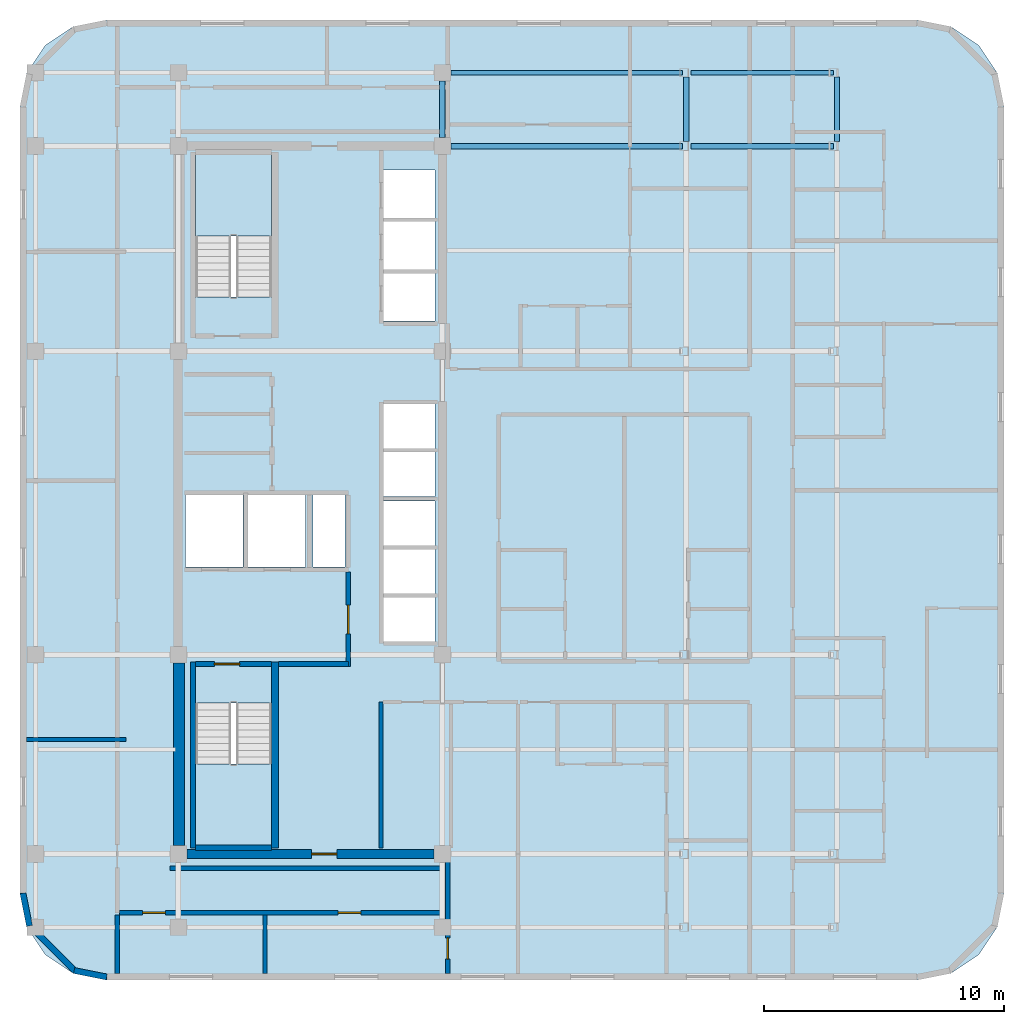
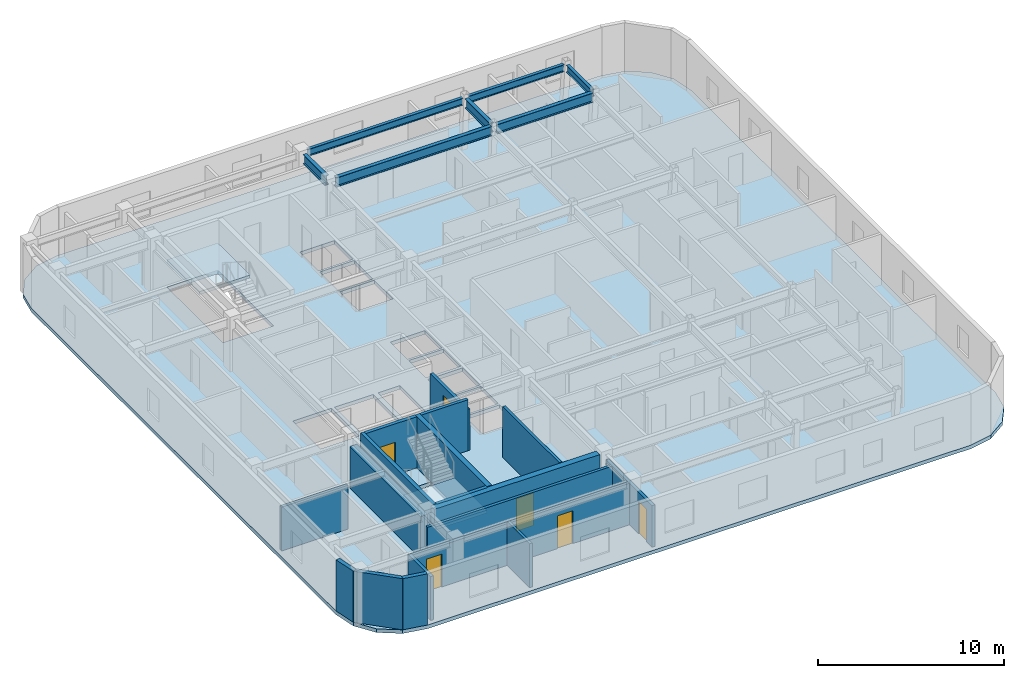
# One storey, part 2 of 8: 18 walls, 7 beams, 6 doors, 3 slabs, 6 openings, 2 elements without a shape of their own.
"""IFC4 building model written with IfcOpenShell, lengths in metres."""

import ifcopenshell
import ifcopenshell.guid

model = None  # the IFC model being written
_history = None  # IfcOwnerHistory: only IFC2X3 demands one
_inside = {}  # id of a spatial element -> (the spatial element, [elements in it])
_under = {}  # id of a project, library or spatial element -> (it, [spatial elements below it])
_declared = {}  # id of a project -> (the project, [libraries it declares])
_typed = {}  # id of a type object -> (the type object, [elements of that type])
_made_of = {}  # id of a material, layer set ... -> (it, [elements and type objects made of it])


def new_model(schema):
    """Start an empty IFC model of exactly this schema.

    Asked for "IFC4X3", IfcOpenShell would pick the latest addendum, in which some entities
    have other attributes; the version numbers below select the first issue.
    IFC2X3 requires an IfcOwnerHistory on every rooted entity: one is made here for all.
    """
    global model, _history
    if schema == "IFC4X3":
        model = ifcopenshell.file(schema_version=(4, 3, 0, 0))
    else:
        model = ifcopenshell.file(schema=schema)
    _inside.clear()
    _under.clear()
    _declared.clear()
    _typed.clear()
    _made_of.clear()
    _history = None
    if model.schema == "IFC2X3":
        org = make("IfcOrganization", Name="unknown")
        user = make(
            "IfcPersonAndOrganization",
            ThePerson=make("IfcPerson", FamilyName="unknown"),
            TheOrganization=org,
        )
        app = make(
            "IfcApplication",
            ApplicationDeveloper=org,
            Version="unknown",
            ApplicationFullName="unknown",
            ApplicationIdentifier="unknown",
        )
        _history = make(
            "IfcOwnerHistory",
            OwningUser=user,
            OwningApplication=app,
            ChangeAction="ADDED",
            CreationDate=0,
        )
    return model


def make(cls, **values):
    """One entity of the class cls with the attributes given. An attribute that is None is left unset."""
    return model.create_entity(
        cls, **{name: value for name, value in values.items() if value is not None}
    )


def rooted(cls, **values):
    """An entity with a GlobalId (a new one), such as an element, a storey or a relation."""
    return make(cls, GlobalId=ifcopenshell.guid.new(), OwnerHistory=_history, **values)


def si_unit(unit_type, name, prefix=None):
    """IfcSIUnit, for example si_unit("LENGTHUNIT", "METRE", prefix="MILLI")."""
    return make("IfcSIUnit", UnitType=unit_type, Prefix=prefix, Name=name)


def assignment(units):
    """IfcUnitAssignment: the units of a project."""
    return None if units is None else make("IfcUnitAssignment", Units=units)


def point(xyz):
    """IfcCartesianPoint."""
    return None if xyz is None else make("IfcCartesianPoint", Coordinates=xyz)


def direction(xyz):
    """IfcDirection."""
    return None if xyz is None else make("IfcDirection", DirectionRatios=xyz)


def frame(location, z_axis=None, x_axis=None):
    """IfcAxis2Placement3D, a coordinate frame: its origin and axes. An axis left out is left unset."""
    return make(
        "IfcAxis2Placement3D",
        Location=point(location),
        Axis=direction(z_axis),
        RefDirection=direction(x_axis),
    )


def frame_2d(location, x_axis=None):
    """IfcAxis2Placement2D, a coordinate frame in the plane: its origin and x axis."""
    return make(
        "IfcAxis2Placement2D", Location=point(location), RefDirection=direction(x_axis)
    )


def origin():
    """The frame at (0, 0, 0) with its axes left unset."""
    return frame((0.0, 0.0, 0.0))


def origin_2d():
    """The frame at (0, 0) in the plane with its x axis left unset."""
    return frame_2d((0.0, 0.0))


def place(relative_to, where):
    """IfcLocalPlacement: puts the frame where relative to a parent placement (None: the world)."""
    return make(
        "IfcLocalPlacement", PlacementRelTo=relative_to, RelativePlacement=where
    )


def context(
    kind, dimensions, precision=None, world=None, true_north=None, identifier=None
):
    """IfcGeometricRepresentationContext, for example the 3D "Model" context."""
    return make(
        "IfcGeometricRepresentationContext",
        ContextIdentifier=identifier,
        ContextType=kind,
        CoordinateSpaceDimension=dimensions,
        Precision=precision,
        WorldCoordinateSystem=world,
        TrueNorth=true_north,
    )


def subcontext(parent, identifier, kind, view, scale=None):
    """IfcGeometricRepresentationSubContext, for example "Body" below "Model"."""
    return make(
        "IfcGeometricRepresentationSubContext",
        ContextIdentifier=identifier,
        ContextType=kind,
        ParentContext=parent,
        TargetScale=scale,
        TargetView=view,
    )


def project(units=None, contexts=None):
    """IfcProject with its units and contexts."""
    return rooted(
        "IfcProject",
        Name="project",
        RepresentationContexts=contexts,
        UnitsInContext=assignment(units),
    )


def spatial(cls, under=None, at=None, **own):
    """A site, building, storey or space (cls), placed at a placement, below another one or the project."""
    s = rooted(cls, ObjectPlacement=at, **own)
    if under is not None:
        _under.setdefault(under.id(), (under, []))[1].append(s)
    return s


def polyline(points):
    """IfcPolyline through the points."""
    return make("IfcPolyline", Points=[point(p) for p in points])


def profile(cls, at=None, kind="AREA", **sizes):
    """A parametric profile (cls). Its sizes go by their IFC names, for example OverallWidth=200.0."""
    return make(cls, ProfileType=kind, Position=at, **sizes)


def rectangle(**sizes):
    """IfcRectangleProfileDef."""
    return profile("IfcRectangleProfileDef", **sizes)


def i_section(**sizes):
    """IfcIShapeProfileDef."""
    return profile("IfcIShapeProfileDef", **sizes)


def outline(outer, holes=None, kind="AREA"):
    """IfcArbitraryClosedProfileDef: a profile drawn as a closed curve; with holes, ...WithVoids."""
    if holes is None:
        return make("IfcArbitraryClosedProfileDef", ProfileType=kind, OuterCurve=outer)
    return make(
        "IfcArbitraryProfileDefWithVoids",
        ProfileType=kind,
        OuterCurve=outer,
        InnerCurves=holes,
    )


def extrude(swept, where, along, depth):
    """IfcExtrudedAreaSolid: the profile swept, set in the frame where, extruded along a direction by depth."""
    return make(
        "IfcExtrudedAreaSolid",
        SweptArea=swept,
        Position=where,
        ExtrudedDirection=direction(along),
        Depth=depth,
    )


def shape(context_of_items, identifier, shape_type, items):
    """IfcShapeRepresentation: the items that make up one representation, for example the "Body"."""
    return make(
        "IfcShapeRepresentation",
        ContextOfItems=context_of_items,
        RepresentationIdentifier=identifier,
        RepresentationType=shape_type,
        Items=items,
    )


def material(Name=None, Category=None):
    """IfcMaterial."""
    return make("IfcMaterial", Name=Name, Category=Category)


def layer(
    of_material, thickness, ventilated=None, Name=None, Category=None, Priority=None
):
    """IfcMaterialLayer: one layer of a wall or slab, of a material (None: an air gap)."""
    return make(
        "IfcMaterialLayer",
        Material=of_material,
        LayerThickness=thickness,
        IsVentilated=ventilated,
        Name=Name,
        Category=Category,
        Priority=Priority,
    )


def layer_set(layers, Name=None):
    """IfcMaterialLayerSet."""
    return make("IfcMaterialLayerSet", MaterialLayers=layers, LayerSetName=Name)


def material_profile(
    of_material, cross_section, Name=None, Category=None, Priority=None
):
    """IfcMaterialProfile: a cross section and its material."""
    return make(
        "IfcMaterialProfile",
        Name=Name,
        Material=of_material,
        Profile=cross_section,
        Priority=Priority,
        Category=Category,
    )


def profile_set(profiles, Name=None, composite=None):
    """IfcMaterialProfileSet."""
    return make(
        "IfcMaterialProfileSet",
        Name=Name,
        MaterialProfiles=profiles,
        CompositeProfile=composite,
    )


def made_of(thing, what):
    """Note that an element or type object is made of a material, layer set ...; save() writes the relation."""
    if what is not None:
        _made_of.setdefault(what.id(), (what, []))[1].append(thing)
    return thing


def type_object(cls, material=None, **own):
    """A type object (cls), such as IfcWallType, which elements share."""
    return made_of(rooted(cls, **own), material)


def element(
    cls,
    number,
    at=None,
    inside=None,
    cuts=None,
    type_object=None,
    material=None,
    context=None,
    identifier="Body",
    shape_type=None,
    held_by="IfcProductDefinitionShape",
    body=None,
    shapes=None,
    **own,
):
    """One element of the class cls, such as IfcWall. Its Tag is "e" and its number.

    at: its placement. inside: the storey or other place that contains it. cuts: it is an
    opening in that element (IfcRelVoidsElement). A single representation is given by context,
    identifier, shape_type and body (its items); several are given by shapes. held_by: the class
    of the entity that holds the representations. save() writes the other relations.
    """
    e = rooted(cls, Tag="e%d" % number, ObjectPlacement=at, **own)
    if body is not None:
        shapes = [shape(context, identifier, shape_type, body)]
    if shapes is not None:
        e.Representation = make(held_by, Representations=shapes)
    if inside is not None:
        _inside.setdefault(inside.id(), (inside, []))[1].append(e)
    if cuts is not None:
        rooted(
            "IfcRelVoidsElement", RelatingBuildingElement=cuts, RelatedOpeningElement=e
        )
    if type_object is not None:
        _typed.setdefault(type_object.id(), (type_object, []))[1].append(e)
    return made_of(e, material)


def fill(opening, filler):
    """IfcRelFillsElement: the door or window that sits in an opening."""
    return rooted(
        "IfcRelFillsElement",
        RelatingOpeningElement=opening,
        RelatedBuildingElement=filler,
    )


def aggregate(whole, parts):
    """IfcRelAggregates: a whole, such as a stair, and the parts it consists of."""
    return rooted("IfcRelAggregates", RelatingObject=whole, RelatedObjects=parts)


def save(model, path):
    """Write the relations noted so far, then the file.

    IfcRelAggregates (storeys below a building ...), IfcRelContainedInSpatialStructure (elements
    in a storey), IfcRelDefinesByType, IfcRelAssociatesMaterial and IfcRelDeclares: one each for
    every whole, place, type object, material and project.
    """
    for whole, parts in _under.values():
        aggregate(whole, parts)
    for where, things in _inside.values():
        rooted(
            "IfcRelContainedInSpatialStructure",
            RelatedElements=things,
            RelatingStructure=where,
        )
    for kind, things in _typed.values():
        rooted("IfcRelDefinesByType", RelatedObjects=things, RelatingType=kind)
    for what, things in _made_of.values():
        rooted("IfcRelAssociatesMaterial", RelatedObjects=things, RelatingMaterial=what)
    for by, libraries in _declared.values():
        rooted("IfcRelDeclares", RelatingContext=by, RelatedDefinitions=libraries)
    model.write(path)


model = new_model("IFC4")

# Units and contexts
model_context = context("Model", 3, precision=1e-05, world=origin(), true_north=direction((0.0, 1.0)))
body_context = subcontext(model_context, "Body", "Model", "MODEL_VIEW")
ifc_project = project(units=[si_unit("LENGTHUNIT", "METRE"), si_unit("AREAUNIT", "SQUARE_METRE"), si_unit("VOLUMEUNIT", "CUBIC_METRE"), si_unit("PLANEANGLEUNIT", "RADIAN"), si_unit("MASSUNIT", "GRAM", prefix="KILO")], contexts=[model_context])

# Site, building, storey
site_placement = place(None, origin())
site = spatial("IfcSite", under=ifc_project, at=site_placement, CompositionType="ELEMENT")
building_placement = place(site_placement, origin())
building = spatial("IfcBuilding", under=site, at=building_placement, Name="Ochreholt Gables", CompositionType="ELEMENT")
storey_placement = place(building_placement, frame((0.0, 0.0, 151.800048828125)))
storey = spatial("IfcBuildingStorey", under=building, at=storey_placement, Name="L39", CompositionType="ELEMENT", Elevation=151.800048828125)

# Beams
ifc_material_1 = material(Name="Steel CSA G40.21 350W", Category="steel")
ifc_material_profile_1 = material_profile(ifc_material_1, i_section(OverallWidth=0.22900390625, OverallDepth=0.612060546875, WebThickness=0.011962890625, FlangeThickness=0.01953125, at=origin_2d()), Name="W610X125")
ifc_profile_set_1 = profile_set([ifc_material_profile_1], Name="Steel CSA G40.21 350W")
beam_type_1 = type_object("IfcBeamType", Name="BM-G-W610B", PredefinedType="BEAM", material=ifc_profile_set_1)
beam_1_placement = place(storey_placement, frame((35.549560546875, 38.75, 3.053955078125), z_axis=(1.0, 0.0, 0.0), x_axis=(0.0, 1.0, 0.0)))
element("IfcBeam", 1, at=beam_1_placement, inside=storey, type_object=beam_type_1, Name="L39 Beam TBG-L39-C2EM-Y5", PredefinedType="BEAM", context=body_context, shape_type="SweptSolid", body=[
    extrude(i_section(OverallWidth=0.22900390625, OverallDepth=0.612060546875, WebThickness=0.011962890625, FlangeThickness=0.01953125, at=origin_2d()), origin(), (0.0, 0.0, 1.0), 9.64794921875),
])
beam_2_placement = place(storey_placement, frame((45.552490234375, 38.75, 3.053955078125), z_axis=(1.0, 0.0, 0.0), x_axis=(0.0, 1.0, 0.0)))
element("IfcBeam", 2, at=beam_2_placement, inside=storey, type_object=beam_type_1, Name="L39 Beam TBG-L39-EMEE-Y5", PredefinedType="BEAM", context=body_context, shape_type="SweptSolid", body=[
    extrude(i_section(OverallWidth=0.22900390625, OverallDepth=0.612060546875, WebThickness=0.011962890625, FlangeThickness=0.01953125, at=origin_2d()), origin(), (0.0, 0.0, 1.0), 5.93994140625),
])
beam_3_placement = place(storey_placement, frame((35.199951171875, 39.099609375, 3.053955078125), z_axis=(0.0, 1.0, 0.0), x_axis=(-1.0, 0.0, 0.0)))
element("IfcBeam", 3, at=beam_3_placement, inside=storey, type_object=beam_type_1, Name="L39 Beam TBN-L39-C2-Y5Y6", PredefinedType="BEAM", context=body_context, shape_type="SweptSolid", body=[
    extrude(i_section(OverallWidth=0.22900390625, OverallDepth=0.612060546875, WebThickness=0.011962890625, FlangeThickness=0.01953125, at=origin_2d()), origin(), (0.0, 0.0, 1.0), 2.350830078125),
])
beam_4_placement = place(storey_placement, frame((45.35791015625, 38.927490234375, 3.053955078125), z_axis=(0.0, 1.0, 0.0), x_axis=(-1.0, 0.0, 0.0)))
element("IfcBeam", 4, at=beam_4_placement, inside=storey, type_object=beam_type_1, Name="L39 Beam TBN-L39-EM-Y5Y6", PredefinedType="BEAM", context=body_context, shape_type="SweptSolid", body=[
    extrude(i_section(OverallWidth=0.22900390625, OverallDepth=0.612060546875, WebThickness=0.011962890625, FlangeThickness=0.01953125, at=origin_2d()), origin(), (0.0, 0.0, 1.0), 2.69482421875),
])
ifc_material_profile_2 = material_profile(ifc_material_1, i_section(OverallWidth=0.19189453125, OverallDepth=0.462890625, WebThickness=0.010498046875, FlangeThickness=0.017578125, at=origin_2d()), Name="W460X89")
ifc_profile_set_2 = profile_set([ifc_material_profile_2], Name="Steel CSA G40.21 350W")
beam_type_2 = type_object("IfcBeamType", Name="BM-SP-W460A", PredefinedType="SPANDREL", material=ifc_profile_set_2)
beam_5_placement = place(storey_placement, frame((35.549560546875, 41.800048828125, 3.12841796875), z_axis=(1.0, 0.0, 0.0), x_axis=(0.0, 1.0, 0.0)))
element("IfcBeam", 5, at=beam_5_placement, inside=storey, type_object=beam_type_2, Name="L39 Beam TBG-L39-C2EM-Y6", PredefinedType="SPANDREL", context=body_context, shape_type="SweptSolid", body=[
    extrude(i_section(OverallWidth=0.19189453125, OverallDepth=0.462890625, WebThickness=0.010498046875, FlangeThickness=0.017578125, at=origin_2d()), origin(), (0.0, 0.0, 1.0), 9.64794921875),
])
beam_6_placement = place(storey_placement, frame((45.552490234375, 41.800048828125, 3.12841796875), z_axis=(1.0, 0.0, 0.0), x_axis=(0.0, 1.0, 0.0)))
element("IfcBeam", 6, at=beam_6_placement, inside=storey, type_object=beam_type_2, Name="L39 Beam TBG-L39-EMEE-Y6", PredefinedType="SPANDREL", context=body_context, shape_type="SweptSolid", body=[
    extrude(i_section(OverallWidth=0.19189453125, OverallDepth=0.462890625, WebThickness=0.010498046875, FlangeThickness=0.017578125, at=origin_2d()), origin(), (0.0, 0.0, 1.0), 5.93994140625),
])
beam_7_placement = place(storey_placement, frame((51.6416015625, 38.927490234375, 3.12841796875), z_axis=(0.0, 1.0, 0.0), x_axis=(-1.0, 0.0, 0.0)))
element("IfcBeam", 7, at=beam_7_placement, inside=storey, type_object=beam_type_2, Name="L39 Beam TBN-L39-EE-Y5Y6", PredefinedType="SPANDREL", context=body_context, shape_type="SweptSolid", body=[
    extrude(i_section(OverallWidth=0.19189453125, OverallDepth=0.462890625, WebThickness=0.010498046875, FlangeThickness=0.017578125, at=origin_2d()), origin(), (0.0, 0.0, 1.0), 2.69482421875),
])

# Stair, slab
ifc_material_2 = material(Name="Concrete 40 MPa", Category="concrete")
stair_type_1 = type_object("IfcStairType", Name="STAIR-CORE-ST-1", PredefinedType="HALF_TURN_STAIR", material=ifc_material_2)
stair_1_placement = place(storey_placement, origin())
stair_1 = element("IfcStair", 8, at=stair_1_placement, inside=storey, type_object=stair_type_1, Name="L39 Core Exit Stair 1", PredefinedType="HALF_TURN_STAIR")
ifc_layer_1 = layer(ifc_material_2, 0.199951171875, Name="Concrete 40 MPa")
ifc_layer_set_1 = layer_set([ifc_layer_1], Name="Concrete 40 MPa")
slab_type_1 = type_object("IfcSlabType", Name="LANDING-RC200", PredefinedType="LANDING", material=ifc_layer_set_1)
slab_1_placement = place(storey_placement, frame((0.0, 0.0, 1.599853515625)))
slab_1 = element("IfcSlab", 9, at=slab_1_placement, type_object=slab_type_1, Name="ST-1 landing 1", PredefinedType="LANDING", context=body_context, shape_type="SweptSolid", body=[
    extrude(outline(polyline([(24.919921875, 13.001953125), (24.919921875, 9.52001953125), (28.080078125, 9.52001953125), (28.080078125, 13.001953125), (24.919921875, 13.001953125)])), origin(), (0.0, 0.0, 1.0), 0.2001953125),
])
aggregate(stair_1, [slab_1])

stair_type_2 = type_object("IfcStairType", Name="STAIR-CORE-ST-2", PredefinedType="HALF_TURN_STAIR", material=ifc_material_2)
stair_2_placement = place(storey_placement, origin())
stair_2 = element("IfcStair", 10, at=stair_2_placement, inside=storey, type_object=stair_type_2, Name="L39 Core Exit Stair 2", PredefinedType="HALF_TURN_STAIR")
slab_2_placement = place(storey_placement, frame((0.0, 0.0, 1.599853515625)))
slab_2 = element("IfcSlab", 11, at=slab_2_placement, type_object=slab_type_1, Name="ST-2 landing 1", PredefinedType="LANDING", context=body_context, shape_type="SweptSolid", body=[
    extrude(outline(polyline([(28.080078125, 34.998046875), (28.080078125, 38.47998046875), (24.919921875, 38.47998046875), (24.919921875, 34.998046875), (28.080078125, 34.998046875)])), origin(), (0.0, 0.0, 1.0), 0.2001953125),
])
aggregate(stair_2, [slab_2])

# Slab
ifc_layer_2 = layer(ifc_material_2, 0.239990234375, Name="Concrete 40 MPa")
ifc_layer_set_2 = layer_set([ifc_layer_2], Name="Concrete 40 MPa")
slab_type_2 = type_object("IfcSlabType", Name="SLAB-TWR-240", PredefinedType="FLOOR", material=ifc_layer_set_2)
slab_3_placement = place(storey_placement, frame((0.0, 0.0, -0.239990234375)))
element("IfcSlab", 12, at=slab_3_placement, inside=storey, type_object=slab_type_2, Name="L39 Structural Floor Slab", PredefinedType="FLOOR", context=body_context, shape_type="SweptSolid", body=[
    extrude(outline(polyline([(17.60009765625, 7.60009765625), (17.8740234375, 6.222412109375), (18.654296875, 5.054443359375), (19.822265625, 4.27392578125), (21.199951171875, 4.0), (55.0, 4.0), (56.377685546875, 4.27392578125), (57.545654296875, 5.054443359375), (58.325927734375, 6.222412109375), (58.60009765625, 7.60009765625), (58.60009765625, 40.39990234375), (58.325927734375, 41.777587890625), (57.545654296875, 42.945556640625), (56.377685546875, 43.72607421875), (55.0, 44.0), (21.199951171875, 44.0), (19.822265625, 43.72607421875), (18.654296875, 42.945556640625), (17.8740234375, 41.777587890625), (17.60009765625, 40.39990234375), (17.60009765625, 7.60009765625)]), holes=[polyline([(24.919921875, 15.539306640625), (24.919921875, 9.52001953125), (28.080078125, 9.52001953125), (28.080078125, 15.539306640625), (24.919921875, 15.539306640625)]), polyline([(28.080078125, 32.460693359375), (28.080078125, 38.47998046875), (24.919921875, 38.47998046875), (24.919921875, 32.460693359375), (28.080078125, 32.460693359375)]), polyline([(24.5, 21.199951171875), (26.89990234375, 21.199951171875), (26.89990234375, 24.199951171875), (24.5, 24.199951171875), (24.5, 21.199951171875)]), polyline([(27.10009765625, 21.199951171875), (29.5, 21.199951171875), (29.5, 24.199951171875), (27.10009765625, 24.199951171875), (27.10009765625, 21.199951171875)]), polyline([(32.75, 18.10009765625), (34.89990234375, 18.10009765625), (34.89990234375, 19.949951171875), (32.75, 19.949951171875), (32.75, 18.10009765625)]), polyline([(32.75, 20.10009765625), (34.89990234375, 20.10009765625), (34.89990234375, 21.949951171875), (32.75, 21.949951171875), (32.75, 20.10009765625)]), polyline([(32.75, 22.10009765625), (34.89990234375, 22.10009765625), (34.89990234375, 23.949951171875), (32.75, 23.949951171875), (32.75, 22.10009765625)]), polyline([(32.75, 24.14990234375), (34.89990234375, 24.14990234375), (34.89990234375, 26.0), (32.75, 26.0), (32.75, 24.14990234375)]), polyline([(32.75, 26.14990234375), (34.89990234375, 26.14990234375), (34.89990234375, 28.0), (32.75, 28.0), (32.75, 26.14990234375)]), polyline([(32.75, 31.449951171875), (34.89990234375, 31.449951171875), (34.89990234375, 33.449951171875), (32.75, 33.449951171875), (32.75, 31.449951171875)]), polyline([(32.75, 33.60009765625), (34.89990234375, 33.60009765625), (34.89990234375, 35.60009765625), (32.75, 35.60009765625), (32.75, 33.60009765625)]), polyline([(32.75, 35.75), (34.89990234375, 35.75), (34.89990234375, 37.75), (32.75, 37.75), (32.75, 35.75)]), polyline([(29.800048828125, 21.199951171875), (31.14990234375, 21.199951171875), (31.14990234375, 24.199951171875), (29.800048828125, 24.199951171875), (29.800048828125, 21.199951171875)])]), origin(), (0.0, 0.0, 1.0), 0.239990234375),
])

# Wall, opening, door
ifc_material_3 = material(Name="Concrete 50 MPa", Category="concrete")
ifc_layer_3 = layer(ifc_material_3, 0.3798828125, Name="Concrete 50 MPa")
ifc_layer_set_3 = layer_set([ifc_layer_3], Name="Concrete 50 MPa")
wall_type_1 = type_object("IfcWallType", Name="WALL-CSW-380", PredefinedType="SHEAR", material=ifc_layer_set_3)
wall_1_placement = place(storey_placement, frame((24.550048828125, 9.25, 0.0), z_axis=(0.0, 0.0, 1.0), x_axis=(1.0, 0.0, 0.0)))
wall_1 = element("IfcWall", 13, at=wall_1_placement, inside=storey, type_object=wall_type_1, Name="L39 Core South Shear Wall", PredefinedType="SHEAR", context=body_context, shape_type="SweptSolid", body=[
    extrude(rectangle(XDim=10.300048828125, YDim=0.3798828125, at=frame_2d((5.14990234375, 0.0))), origin(), (0.0, 0.0, 1.0), 3.35986328125),
])
opening_1_placement = place(wall_1_placement, frame((5.199951171875, 0.0, 0.0)))
opening_1 = element("IfcOpeningElement", 14, at=opening_1_placement, cuts=wall_1, Name="Opening D-FLB", PredefinedType="OPENING", context=body_context, shape_type="SweptSolid", body=[
    extrude(rectangle(XDim=1.050048828125, YDim=2.14990234375, at=frame_2d((0.52490234375, 1.074951171875))), frame((0.0, 0.199951171875, 0.0), z_axis=(0.0, -1.0, 0.0), x_axis=(1.0, 0.0, 0.0)), (0.0, 0.0, 1.0), 0.39990234375),
])
ifc_material_4 = material(Name="Hollow Metal Steel", Category="steel")
door_type_1 = type_object("IfcDoorType", Name="DR-INT-FLB1050", OperationType="NOTDEFINED", PredefinedType="DOOR", material=ifc_material_4)
door_1_placement = place(opening_1_placement, origin())
door_1 = element("IfcDoor", 15, at=door_1_placement, inside=storey, type_object=door_type_1, Name="L39 Door D-C2CRS-L39", OperationType="SINGLE_SWING_LEFT", OverallHeight=2.14990234375, OverallWidth=1.050048828125, PredefinedType="DOOR", context=body_context, shape_type="SweptSolid", body=[
    extrude(rectangle(XDim=1.050048828125, YDim=2.14990234375, at=frame_2d((0.52490234375, 1.074951171875))), frame((0.0, 0.02490234375, 0.0), z_axis=(0.0, -1.0, 0.0), x_axis=(1.0, 0.0, 0.0)), (0.0, 0.0, 1.0), 0.050048828125),
])
fill(opening_1, door_1)

# Walls
ifc_material_5 = material(Name="Concrete 60 MPa", Category="concrete")
ifc_layer_4 = layer(ifc_material_5, 0.449951171875, Name="Concrete 60 MPa")
ifc_layer_set_4 = layer_set([ifc_layer_4], Name="Concrete 60 MPa")
wall_type_2 = type_object("IfcWallType", Name="WALL-CSW-450", PredefinedType="SHEAR", material=ifc_layer_set_4)
wall_2_placement = place(storey_placement, frame((24.22509765625, 9.60009765625, 0.0), z_axis=(0.0, 0.0, 1.0), x_axis=(0.0, 1.0, 0.0)))
element("IfcWall", 16, at=wall_2_placement, inside=storey, type_object=wall_type_2, Name="L39 Core West Shear Wall WS", PredefinedType="SHEAR", context=body_context, shape_type="SweptSolid", body=[
    extrude(rectangle(XDim=7.599853515625, YDim=0.449951171875, at=frame_2d((3.7998046875, 0.0))), origin(), (0.0, 0.0, 1.0), 2.748046875),
])
ifc_material_6 = material(Name="Precast concrete 40 MPa", Category="concrete")
ifc_layer_5 = layer(ifc_material_6, 0.25, Name="Precast concrete 40 MPa")
ifc_layer_set_5 = layer_set([ifc_layer_5], Name="Precast concrete 40 MPa")
wall_type_3 = type_object("IfcWallType", Name="WALL-EXT-CNR", PredefinedType="SOLIDWALL", material=ifc_layer_set_5)
wall_3_placement = place(storey_placement, frame((17.72412109375, 7.616455078125, 0.0), z_axis=(0.0, 0.0, 1.0), x_axis=(0.195135625965, -0.9807762678, 0.0)))
element("IfcWall", 17, at=wall_3_placement, inside=storey, type_object=wall_type_3, Name="L39 Rounded Corner Wall SW-1", PredefinedType="SOLIDWALL", context=body_context, shape_type="SweptSolid", body=[
    extrude(rectangle(XDim=1.388671875, YDim=0.25, at=frame_2d((0.6943359375, 0.0))), origin(), (0.0, 0.0, 1.0), 3.35986328125),
])
wall_4_placement = place(storey_placement, frame((17.968017578125, 6.304931640625, 0.0), z_axis=(0.0, 0.0, 1.0), x_axis=(0.707106781187, -0.707106781187, 0.0)))
element("IfcWall", 18, at=wall_4_placement, inside=storey, type_object=wall_type_3, Name="L39 Rounded Corner Wall SW-2", PredefinedType="SOLIDWALL", context=body_context, shape_type="SweptSolid", body=[
    extrude(rectangle(XDim=2.7392578125, YDim=0.25, at=frame_2d((1.36962890625, 0.0))), origin(), (0.0, 0.0, 1.0), 3.35986328125),
])
wall_5_placement = place(storey_placement, frame((19.8544921875, 4.39501953125, 0.0), z_axis=(0.0, 0.0, 1.0), x_axis=(0.980809899341, -0.19496651342, 0.0)))
element("IfcWall", 19, at=wall_5_placement, inside=storey, type_object=wall_type_3, Name="L39 Rounded Corner Wall SW-3", PredefinedType="SOLIDWALL", context=body_context, shape_type="SweptSolid", body=[
    extrude(rectangle(XDim=1.388671875, YDim=0.25, at=frame_2d((0.6943359375, 0.0))), origin(), (0.0, 0.0, 1.0), 3.35986328125),
])
ifc_layer_6 = layer(ifc_material_2, 0.199951171875, Name="Concrete 40 MPa")
ifc_layer_set_6 = layer_set([ifc_layer_6], Name="Concrete 40 MPa")
wall_type_4 = type_object("IfcWallType", Name="WALL-INT-CF200", PredefinedType="STANDARD", material=ifc_layer_set_6)
wall_6_placement = place(storey_placement, frame((28.3798828125, 17.169921875, 0.0), z_axis=(0.0, 0.0, 1.0), x_axis=(1.0, 0.0, 0.0)))
element("IfcWall", 20, at=wall_6_placement, inside=storey, type_object=wall_type_4, Name="L39 Interior Wall WI-FFS-L39", PredefinedType="STANDARD", context=body_context, shape_type="SweptSolid", body=[
    extrude(rectangle(XDim=2.900146484375, YDim=0.199951171875, at=frame_2d((1.4501953125, 0.0))), origin(), (0.0, 0.0, 1.0), 3.35986328125),
])

# Wall, opening, door
wall_7_placement = place(storey_placement, frame((31.280029296875, 17.070068359375, 0.0), z_axis=(0.0, 0.0, 1.0), x_axis=(0.0, 1.0, 0.0)))
wall_7 = element("IfcWall", 21, at=wall_7_placement, inside=storey, type_object=wall_type_4, Name="L39 Interior Wall WI-FFE-L39", PredefinedType="STANDARD", context=body_context, shape_type="SweptSolid", body=[
    extrude(rectangle(XDim=3.919921875, YDim=0.199951171875, at=frame_2d((1.9599609375, 0.0))), origin(), (0.0, 0.0, 1.0), 2.72998046875),
])
opening_2_placement = place(wall_7_placement, frame((1.35009765625, 0.0, 0.0)))
opening_2 = element("IfcOpeningElement", 22, at=opening_2_placement, cuts=wall_7, Name="Opening D-FFL", PredefinedType="OPENING", context=body_context, shape_type="SweptSolid", body=[
    extrude(rectangle(XDim=1.199951171875, YDim=2.14990234375, at=frame_2d((0.60009765625, 1.074951171875))), frame((0.0, 0.10986328125, 0.0), z_axis=(0.0, -1.0, 0.0), x_axis=(1.0, 0.0, 0.0)), (0.0, 0.0, 1.0), 0.219970703125),
])
door_type_2 = type_object("IfcDoorType", Name="DR-INT-FFL1200", OperationType="NOTDEFINED", PredefinedType="DOOR", material=ifc_material_4)
door_2_placement = place(opening_2_placement, origin())
door_2 = element("IfcDoor", 23, at=door_2_placement, inside=storey, type_object=door_type_2, Name="L39 Door D-FFL-L39", OperationType="SINGLE_SWING_LEFT", OverallHeight=2.14990234375, OverallWidth=1.199951171875, PredefinedType="DOOR", context=body_context, shape_type="SweptSolid", body=[
    extrude(rectangle(XDim=1.199951171875, YDim=2.14990234375, at=frame_2d((0.60009765625, 1.074951171875))), frame((0.0, 0.02490234375, 0.0), z_axis=(0.0, -1.0, 0.0), x_axis=(1.0, 0.0, 0.0)), (0.0, 0.0, 1.0), 0.050048828125),
])
fill(opening_2, door_2)

# Wall, openings, doors
ifc_material_7 = material(Name="Fire-Rated Gypsum Acoustic Partition", Category="gypsum")
ifc_layer_7 = layer(ifc_material_7, 0.179931640625, Name="Fire-Rated Gypsum Acoustic Partition")
ifc_layer_set_7 = layer_set([ifc_layer_7], Name="Fire-Rated Gypsum Acoustic Partition")
wall_type_5 = type_object("IfcWallType", Name="WALL-INT-CR180", PredefinedType="STANDARD", material=ifc_layer_set_7)
wall_8_placement = place(storey_placement, frame((21.739990234375, 6.800048828125, 0.0), z_axis=(0.0, 0.0, 1.0), x_axis=(1.0, 0.0, 0.0)))
wall_8 = element("IfcWall", 24, at=wall_8_placement, inside=storey, type_object=wall_type_5, Name="L39 Interior Wall WI-C2WCS-L39", PredefinedType="STANDARD", context=body_context, shape_type="SweptSolid", body=[
    extrude(rectangle(XDim=13.679931640625, YDim=0.179931640625, at=frame_2d((6.83984375, 0.0))), origin(), (0.0, 0.0, 1.0), 2.72998046875),
])
opening_3_placement = place(wall_8_placement, frame((0.969970703125, 0.0, 0.0)))
opening_3 = element("IfcOpeningElement", 25, at=opening_3_placement, cuts=wall_8, Name="Opening D-GN1", PredefinedType="OPENING", context=body_context, shape_type="SweptSolid", body=[
    extrude(rectangle(XDim=0.949951171875, YDim=2.14990234375, at=frame_2d((0.47509765625, 1.074951171875))), frame((0.0, 0.099853515625, 0.0), z_axis=(0.0, -1.0, 0.0), x_axis=(1.0, 0.0, 0.0)), (0.0, 0.0, 1.0), 0.199951171875),
])
opening_4_placement = place(wall_8_placement, frame((9.110107421875, 0.0, 0.0)))
opening_4 = element("IfcOpeningElement", 26, at=opening_4_placement, cuts=wall_8, Name="Opening D-GN1", PredefinedType="OPENING", context=body_context, shape_type="SweptSolid", body=[
    extrude(rectangle(XDim=0.949951171875, YDim=2.14990234375, at=frame_2d((0.47509765625, 1.074951171875))), frame((0.0, 0.099853515625, 0.0), z_axis=(0.0, -1.0, 0.0), x_axis=(1.0, 0.0, 0.0)), (0.0, 0.0, 1.0), 0.199951171875),
])
ifc_material_8 = material(Name="Engineered Oak Timber", Category="wood")
door_type_3 = type_object("IfcDoorType", Name="DR-INT-GEN950", OperationType="NOTDEFINED", PredefinedType="DOOR", material=ifc_material_8)
door_3_placement = place(opening_3_placement, origin())
door_3 = element("IfcDoor", 27, at=door_3_placement, inside=storey, type_object=door_type_3, Name="L39 Door D-C2STL1-L39", OperationType="SINGLE_SWING_LEFT", OverallHeight=2.14990234375, OverallWidth=0.949951171875, PredefinedType="DOOR", context=body_context, shape_type="SweptSolid", body=[
    extrude(rectangle(XDim=0.949951171875, YDim=2.14990234375, at=frame_2d((0.47509765625, 1.074951171875))), frame((0.0, 0.02490234375, 0.0), z_axis=(0.0, -1.0, 0.0), x_axis=(1.0, 0.0, 0.0)), (0.0, 0.0, 1.0), 0.050048828125),
])
fill(opening_3, door_3)
door_4_placement = place(opening_4_placement, origin())
door_4 = element("IfcDoor", 28, at=door_4_placement, inside=storey, type_object=door_type_3, Name="L39 Door D-C2STL2-L39", OperationType="SINGLE_SWING_RIGHT", OverallHeight=2.14990234375, OverallWidth=0.949951171875, PredefinedType="DOOR", context=body_context, shape_type="SweptSolid", body=[
    extrude(rectangle(XDim=0.949951171875, YDim=2.14990234375, at=frame_2d((0.47509765625, 1.074951171875))), frame((0.0, 0.02490234375, 0.0), z_axis=(0.0, -1.0, 0.0), x_axis=(1.0, 0.0, 0.0)), (0.0, 0.0, 1.0), 0.050048828125),
])
fill(opening_4, door_4)

# Walls
wall_9_placement = place(storey_placement, frame((23.85009765625, 8.64990234375, 0.0), z_axis=(0.0, 0.0, 1.0), x_axis=(1.0, 0.0, 0.0)))
element("IfcWall", 29, at=wall_9_placement, inside=storey, type_object=wall_type_5, Name="L39 Interior Wall WI-C2WCS2-L39", PredefinedType="STANDARD", context=body_context, shape_type="SweptSolid", body=[
    extrude(rectangle(XDim=11.56982421875, YDim=0.179931640625, at=frame_2d((5.784912109375, 0.0))), origin(), (0.0, 0.0, 1.0), 2.72998046875),
])
ifc_material_9 = material(Name="Double-Stud Acoustic Demising Wall", Category="gypsum")
ifc_layer_8 = layer(ifc_material_9, 0.179931640625, Name="Double-Stud Acoustic Demising Wall")
ifc_layer_set_8 = layer_set([ifc_layer_8], Name="Double-Stud Acoustic Demising Wall")
wall_type_6 = type_object("IfcWallType", Name="WALL-INT-DM180", PredefinedType="PARTITIONING", material=ifc_layer_set_8)
wall_10_placement = place(storey_placement, frame((21.64990234375, 4.280029296875, 0.0), z_axis=(0.0, 0.0, 1.0), x_axis=(0.0, 1.0, 0.0)))
element("IfcWall", 30, at=wall_10_placement, inside=storey, type_object=wall_type_6, Name="L39 Interior Wall WI-C2WWS-L39", PredefinedType="PARTITIONING", context=body_context, shape_type="SweptSolid", body=[
    extrude(rectangle(XDim=2.429931640625, YDim=0.179931640625, at=frame_2d((1.21484375, 0.0))), origin(), (0.0, 0.0, 1.0), 2.87890625),
])

# Wall, opening, door
wall_11_placement = place(storey_placement, frame((35.419921875, 4.280029296875, 0.0), z_axis=(0.0, 0.0, 1.0), x_axis=(0.0, 1.0, 0.0)))
wall_11 = element("IfcWall", 31, at=wall_11_placement, inside=storey, type_object=wall_type_6, Name="L39 Interior Wall WI-C2SES-L39", PredefinedType="PARTITIONING", context=body_context, shape_type="SweptSolid", body=[
    extrude(rectangle(XDim=4.969970703125, YDim=0.179931640625, at=frame_2d((2.48486328125, 0.0))), origin(), (0.0, 0.0, 1.0), 2.72998046875),
])
opening_5_placement = place(wall_11_placement, frame((0.590087890625, 0.0, 0.0)))
opening_5 = element("IfcOpeningElement", 32, at=opening_5_placement, cuts=wall_11, Name="Opening D-GN2", PredefinedType="OPENING", context=body_context, shape_type="SweptSolid", body=[
    extrude(rectangle(XDim=0.8798828125, YDim=2.1201171875, at=frame_2d((0.43994140625, 1.06005859375))), frame((0.0, 0.099853515625, 0.0), z_axis=(0.0, -1.0, 0.0), x_axis=(1.0, 0.0, 0.0)), (0.0, 0.0, 1.0), 0.199951171875),
])
door_type_4 = type_object("IfcDoorType", Name="DR-INT-GEN880", OperationType="NOTDEFINED", PredefinedType="DOOR", material=ifc_material_8)
door_5_placement = place(opening_5_placement, origin())
door_5 = element("IfcDoor", 33, at=door_5_placement, inside=storey, type_object=door_type_4, Name="L39 Door D-C2SPS-L39", OperationType="SINGLE_SWING_LEFT", OverallHeight=2.1201171875, OverallWidth=0.8798828125, PredefinedType="DOOR", context=body_context, shape_type="SweptSolid", body=[
    extrude(rectangle(XDim=0.8798828125, YDim=2.1201171875, at=frame_2d((0.43994140625, 1.06005859375))), frame((0.0, 0.02490234375, 0.0), z_axis=(0.0, -1.0, 0.0), x_axis=(1.0, 0.0, 0.0)), (0.0, 0.0, 1.0), 0.050048828125),
])
fill(opening_5, door_5)

# Walls
ifc_material_10 = material(Name="Gypsum Acoustic Stud Partition", Category="gypsum")
ifc_layer_9 = layer(ifc_material_10, 0.1650390625, Name="Gypsum Acoustic Stud Partition")
ifc_layer_set_9 = layer_set([ifc_layer_9], Name="Gypsum Acoustic Stud Partition")
wall_type_7 = type_object("IfcWallType", Name="WALL-INT-PT165", PredefinedType="PARTITIONING", material=ifc_layer_set_9)
wall_12_placement = place(storey_placement, frame((32.64990234375, 9.5, 0.0), z_axis=(0.0, 0.0, 1.0), x_axis=(0.0, 1.0, 0.0)))
element("IfcWall", 34, at=wall_12_placement, inside=storey, type_object=wall_type_7, Name="L39 Interior Wall WI-RCL-W-L39", PredefinedType="PARTITIONING", context=body_context, shape_type="SweptSolid", body=[
    extrude(rectangle(XDim=6.080078125, YDim=0.1650390625, at=frame_2d((3.0400390625, 0.0))), origin(), (0.0, 0.0, 1.0), 3.35986328125),
])
wall_13_placement = place(storey_placement, frame((17.8798828125, 14.02490234375, 0.0), z_axis=(0.0, 0.0, 1.0), x_axis=(1.0, 0.0, 0.0)))
element("IfcWall", 35, at=wall_13_placement, inside=storey, type_object=wall_type_7, Name="L39 Interior Wall WU-L39W1-SDV", PredefinedType="PARTITIONING", context=body_context, shape_type="SweptSolid", body=[
    extrude(rectangle(XDim=4.130126953125, YDim=0.1650390625, at=frame_2d((2.06494140625, 0.0))), origin(), (0.0, 0.0, 1.0), 2.87890625),
])
wall_14_placement = place(storey_placement, frame((27.800048828125, 4.280029296875, 0.0), z_axis=(0.0, 0.0, 1.0), x_axis=(0.0, 1.0, 0.0)))
element("IfcWall", 36, at=wall_14_placement, inside=storey, type_object=wall_type_7, Name="L39 Interior Wall WI-C2PKS-L39", PredefinedType="PARTITIONING", context=body_context, shape_type="SweptSolid", body=[
    extrude(rectangle(XDim=2.429931640625, YDim=0.1650390625, at=frame_2d((1.21484375, 0.0))), origin(), (0.0, 0.0, 1.0), 2.87890625),
])
ifc_layer_10 = layer(ifc_material_5, 0.300048828125, Name="Concrete 60 MPa")
ifc_layer_set_10 = layer_set([ifc_layer_10], Name="Concrete 60 MPa")
wall_type_8 = type_object("IfcWallType", Name="WALL-SPN-300", PredefinedType="SHEAR", material=ifc_layer_set_10)
wall_15_placement = place(storey_placement, frame((28.22998046875, 9.5, 0.0), z_axis=(0.0, 0.0, 1.0), x_axis=(0.0, 1.0, 0.0)))
element("IfcWall", 37, at=wall_15_placement, inside=storey, type_object=wall_type_8, Name="L39 Core South Spine Shear Wall", PredefinedType="SHEAR", context=body_context, shape_type="SweptSolid", body=[
    extrude(rectangle(XDim=7.760009765625, YDim=0.300048828125, at=frame_2d((3.8798828125, 0.0))), origin(), (0.0, 0.0, 1.0), 3.35986328125),
])
ifc_layer_11 = layer(ifc_material_3, 0.219970703125, Name="Concrete 50 MPa")
ifc_layer_set_11 = layer_set([ifc_layer_11], Name="Concrete 50 MPa")
wall_type_9 = type_object("IfcWallType", Name="WALL-STW-220", PredefinedType="SHEAR", material=ifc_layer_set_11)
wall_16_placement = place(storey_placement, frame((24.81005859375, 9.5, 0.0), z_axis=(0.0, 0.0, 1.0), x_axis=(0.0, 1.0, 0.0)))
element("IfcWall", 38, at=wall_16_placement, inside=storey, type_object=wall_type_9, Name="L39 Exit Stair 1 West Wall", PredefinedType="SHEAR", context=body_context, shape_type="SweptSolid", body=[
    extrude(rectangle(XDim=7.760009765625, YDim=0.219970703125, at=frame_2d((3.8798828125, 0.0))), origin(), (0.0, 0.0, 1.0), 3.35986328125),
])
wall_17_placement = place(storey_placement, frame((24.919921875, 9.510009765625, 0.0), z_axis=(0.0, 0.0, 1.0), x_axis=(1.0, 0.0, 0.0)))
element("IfcWall", 39, at=wall_17_placement, inside=storey, type_object=wall_type_9, Name="L39 Exit Stair 1 South Wall", PredefinedType="SHEAR", context=body_context, shape_type="SweptSolid", body=[
    extrude(rectangle(XDim=3.16015625, YDim=0.219970703125, at=frame_2d((1.580078125, 0.0))), origin(), (0.0, 0.0, 1.0), 3.35986328125),
])

# Wall, opening, door
wall_18_placement = place(storey_placement, frame((24.919921875, 17.169921875, 0.0), z_axis=(0.0, 0.0, 1.0), x_axis=(1.0, 0.0, 0.0)))
wall_18 = element("IfcWall", 40, at=wall_18_placement, inside=storey, type_object=wall_type_9, Name="L39 Exit Stair 1 North Wall", PredefinedType="SHEAR", context=body_context, shape_type="SweptSolid", body=[
    extrude(rectangle(XDim=3.16015625, YDim=0.219970703125, at=frame_2d((1.580078125, 0.0))), origin(), (0.0, 0.0, 1.0), 3.35986328125),
])
opening_6_placement = place(wall_18_placement, frame((0.780029296875, 0.0, 0.0)))
opening_6 = element("IfcOpeningElement", 41, at=opening_6_placement, cuts=wall_18, Name="Opening D-STC", PredefinedType="OPENING", context=body_context, shape_type="SweptSolid", body=[
    extrude(rectangle(XDim=1.050048828125, YDim=2.14990234375, at=frame_2d((0.52490234375, 1.074951171875))), frame((0.0, 0.119873046875, 0.0), z_axis=(0.0, -1.0, 0.0), x_axis=(1.0, 0.0, 0.0)), (0.0, 0.0, 1.0), 0.239990234375),
])
door_type_5 = type_object("IfcDoorType", Name="DR-INT-ST1050", OperationType="NOTDEFINED", PredefinedType="DOOR", material=ifc_material_4)
door_6_placement = place(opening_6_placement, frame((1.050048828125, 0.0, 0.0), z_axis=(0.0, 0.0, 1.0), x_axis=(-1.0, 0.0, 0.0)))
door_6 = element("IfcDoor", 42, at=door_6_placement, inside=storey, type_object=door_type_5, Name="L39 Door D-ST1-L39", OperationType="SINGLE_SWING_LEFT", OverallHeight=2.14990234375, OverallWidth=1.050048828125, PredefinedType="DOOR", context=body_context, shape_type="SweptSolid", body=[
    extrude(rectangle(XDim=1.050048828125, YDim=2.14990234375, at=frame_2d((0.52490234375, 1.074951171875))), frame((0.0, 0.02490234375, 0.0), z_axis=(0.0, -1.0, 0.0), x_axis=(1.0, 0.0, 0.0)), (0.0, 0.0, 1.0), 0.050048828125),
])
fill(opening_6, door_6)

save(model, "model.ifc")
